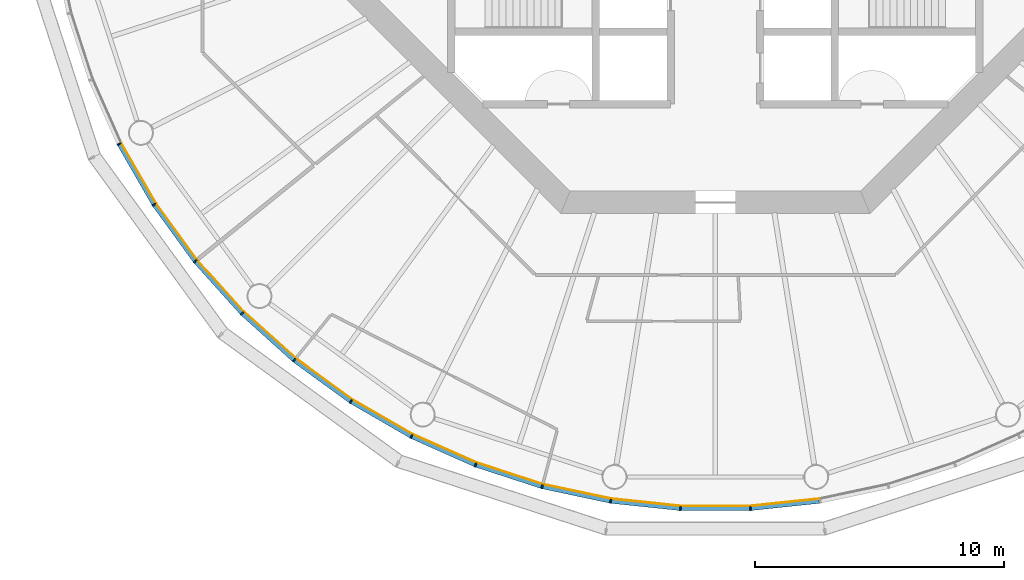
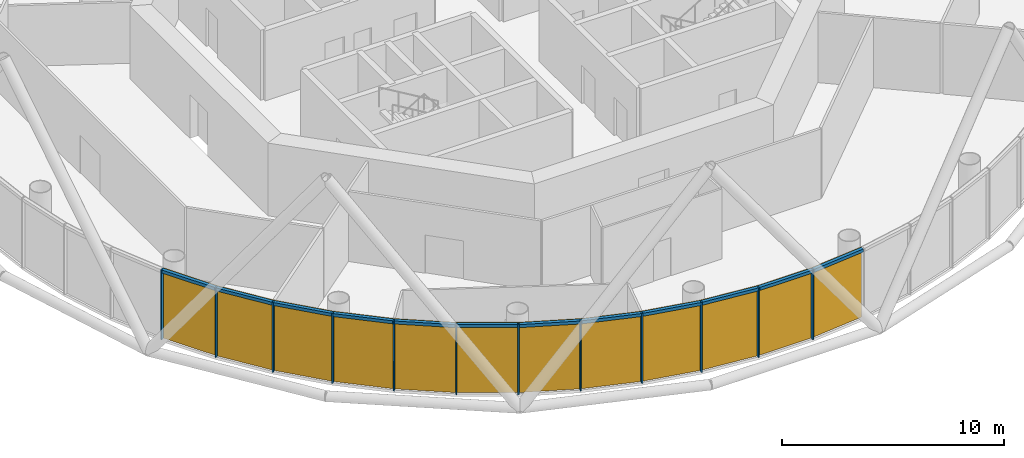
# One storey, part 6 of 12: 24 members, 4 curtain walls.
"""IFC4 building model written with IfcOpenShell, lengths in metres."""

from ifc_helpers import new_model, si_unit, direction, frame, origin, origin_2d, place, context, subcontext, project, spatial, polyline, rectangle, outline, extrude, material, layer, layer_set, material_profile, profile_set, type_object, element, aggregate, save


model = new_model("IFC4")

# Units and contexts
model_context = context("Model", 3, precision=1e-05, world=origin(), true_north=direction((0.0, 1.0)))
body_context = subcontext(model_context, "Body", "Model", "MODEL_VIEW")
ifc_project = project(units=[si_unit("LENGTHUNIT", "METRE"), si_unit("AREAUNIT", "SQUARE_METRE"), si_unit("VOLUMEUNIT", "CUBIC_METRE"), si_unit("PLANEANGLEUNIT", "RADIAN"), si_unit("MASSUNIT", "GRAM", prefix="KILO")], contexts=[model_context])

# Member
ifc_material_1 = material(Name="Anodised aluminium", Category="aluminium")
ifc_material_profile_1 = material_profile(ifc_material_1, rectangle(XDim=0.06005859375, YDim=0.169921875, at=origin_2d()), Name="Mullion 60 x 170 mm anodised aluminium")
ifc_profile_set_1 = profile_set([ifc_material_profile_1], Name="Anodised aluminium")
member_type_1 = type_object("IfcMemberType", Name="Mullion 60 x 170 mm anodised aluminium", PredefinedType="MULLION", material=ifc_profile_set_1)
site_placement = place(None, origin())
building_placement = place(site_placement, origin())
storey_placement = place(building_placement, frame((0.0, 0.0, 238.0)))
member_1_placement = place(storey_placement, frame((66.04541015625, 67.79443359375, 0.0), z_axis=(0.0, 0.0, 1.0), x_axis=(0.45399049974, -0.891006524188, 0.0)))
member_1 = element("IfcMember", 1, at=member_1_placement, type_object=member_type_1, Name="MULLION L54-33", PredefinedType="MULLION", context=body_context, shape_type="SweptSolid", body=[
    extrude(rectangle(XDim=0.06005859375, YDim=0.169921875, at=origin_2d()), origin(), (0.0, 0.0, 1.0), 3.85009765625),
])

member_2_placement = place(storey_placement, frame((67.452392578125, 65.357421875, 0.0), z_axis=(0.0, 0.0, 1.0), x_axis=(0.544639035015, -0.838670567945, 0.0)))
member_2 = element("IfcMember", 2, at=member_2_placement, type_object=member_type_1, Name="MULLION L54-34", PredefinedType="MULLION", context=body_context, shape_type="SweptSolid", body=[
    extrude(rectangle(XDim=0.06005859375, YDim=0.169921875, at=origin_2d()), origin(), (0.0, 0.0, 1.0), 3.85009765625),
])

member_3_placement = place(storey_placement, frame((69.1064453125, 63.080810546875, 0.0), z_axis=(0.0, 0.0, 1.0), x_axis=(0.62932039105, -0.777145961457, 0.0)))
member_3 = element("IfcMember", 3, at=member_3_placement, type_object=member_type_1, Name="MULLION L54-35", PredefinedType="MULLION", context=body_context, shape_type="SweptSolid", body=[
    extrude(rectangle(XDim=0.06005859375, YDim=0.169921875, at=origin_2d()), origin(), (0.0, 0.0, 1.0), 3.85009765625),
])

member_4_placement = place(storey_placement, frame((70.989501953125, 60.989501953125, 0.0), z_axis=(0.0, 0.0, 1.0), x_axis=(0.707106781187, -0.707106781187, 0.0)))
member_4 = element("IfcMember", 4, at=member_4_placement, type_object=member_type_1, Name="MULLION L54-36", PredefinedType="MULLION", context=body_context, shape_type="SweptSolid", body=[
    extrude(rectangle(XDim=0.06005859375, YDim=0.169921875, at=origin_2d()), origin(), (0.0, 0.0, 1.0), 3.85009765625),
])

member_5_placement = place(storey_placement, frame((73.080810546875, 59.1064453125, 0.0), z_axis=(0.0, 0.0, 1.0), x_axis=(0.777145961457, -0.62932039105, 0.0)))
member_5 = element("IfcMember", 5, at=member_5_placement, type_object=member_type_1, Name="MULLION L54-37", PredefinedType="MULLION", context=body_context, shape_type="SweptSolid", body=[
    extrude(rectangle(XDim=0.06005859375, YDim=0.169921875, at=origin_2d()), origin(), (0.0, 0.0, 1.0), 3.85009765625),
])

member_6_placement = place(storey_placement, frame((75.357421875, 57.452392578125, 0.0), z_axis=(0.0, 0.0, 1.0), x_axis=(0.838670567945, -0.544639035015, 0.0)))
member_6 = element("IfcMember", 6, at=member_6_placement, type_object=member_type_1, Name="MULLION L54-38", PredefinedType="MULLION", context=body_context, shape_type="SweptSolid", body=[
    extrude(rectangle(XDim=0.06005859375, YDim=0.169921875, at=origin_2d()), origin(), (0.0, 0.0, 1.0), 3.85009765625),
])

member_7_placement = place(storey_placement, frame((77.79443359375, 56.04541015625, 0.0), z_axis=(0.0, 0.0, 1.0), x_axis=(0.891006524188, -0.45399049974, 0.0)))
member_7 = element("IfcMember", 7, at=member_7_placement, type_object=member_type_1, Name="MULLION L54-39", PredefinedType="MULLION", context=body_context, shape_type="SweptSolid", body=[
    extrude(rectangle(XDim=0.06005859375, YDim=0.169921875, at=origin_2d()), origin(), (0.0, 0.0, 1.0), 3.85009765625),
])

member_8_placement = place(storey_placement, frame((80.365234375, 54.900634765625, 0.0), z_axis=(0.0, 0.0, 1.0), x_axis=(0.933580426497, -0.358367949545, 0.0)))
member_8 = element("IfcMember", 8, at=member_8_placement, type_object=member_type_1, Name="MULLION L54-40", PredefinedType="MULLION", context=body_context, shape_type="SweptSolid", body=[
    extrude(rectangle(XDim=0.06005859375, YDim=0.169921875, at=origin_2d()), origin(), (0.0, 0.0, 1.0), 3.85009765625),
])

member_9_placement = place(storey_placement, frame((83.041748046875, 54.031005859375, 0.0), z_axis=(0.0, 0.0, 1.0), x_axis=(0.965925826289, -0.258819045103, 0.0)))
member_9 = element("IfcMember", 9, at=member_9_placement, type_object=member_type_1, Name="MULLION L54-41", PredefinedType="MULLION", context=body_context, shape_type="SweptSolid", body=[
    extrude(rectangle(XDim=0.06005859375, YDim=0.169921875, at=origin_2d()), origin(), (0.0, 0.0, 1.0), 3.85009765625),
])

member_10_placement = place(storey_placement, frame((85.794189453125, 53.446044921875, 0.0), z_axis=(0.0, 0.0, 1.0), x_axis=(0.987688340595, -0.15643446504, 0.0)))
member_10 = element("IfcMember", 10, at=member_10_placement, type_object=member_type_1, Name="MULLION L54-42", PredefinedType="MULLION", context=body_context, shape_type="SweptSolid", body=[
    extrude(rectangle(XDim=0.06005859375, YDim=0.169921875, at=origin_2d()), origin(), (0.0, 0.0, 1.0), 3.85009765625),
])

member_11_placement = place(storey_placement, frame((88.593017578125, 53.15185546875, 0.0), z_axis=(0.0, 0.0, 1.0), x_axis=(0.998629534755, -0.052335956243, 0.0)))
member_11 = element("IfcMember", 11, at=member_11_placement, type_object=member_type_1, Name="MULLION L54-43", PredefinedType="MULLION", context=body_context, shape_type="SweptSolid", body=[
    extrude(rectangle(XDim=0.06005859375, YDim=0.169921875, at=origin_2d()), origin(), (0.0, 0.0, 1.0), 3.85009765625),
])

member_12_placement = place(storey_placement, frame((91.406982421875, 53.15185546875, 0.0), z_axis=(0.0, 0.0, 1.0), x_axis=(0.998629534755, 0.052335956243, 0.0)))
member_12 = element("IfcMember", 12, at=member_12_placement, type_object=member_type_1, Name="MULLION L54-44", PredefinedType="MULLION", context=body_context, shape_type="SweptSolid", body=[
    extrude(rectangle(XDim=0.06005859375, YDim=0.169921875, at=origin_2d()), origin(), (0.0, 0.0, 1.0), 3.85009765625),
])

ifc_material_2 = material(Name="Anodised aluminium", Category="aluminium")
ifc_material_profile_2 = material_profile(ifc_material_2, rectangle(XDim=0.169921875, YDim=0.1650390625, at=origin_2d()), Name="Transom 165 x 170 mm anodised aluminium")
ifc_profile_set_2 = profile_set([ifc_material_profile_2], Name="Anodised aluminium")
member_type_2 = type_object("IfcMemberType", Name="Transom 165 x 170 mm anodised aluminium", PredefinedType="USERDEFINED", material=ifc_profile_set_2)
member_13_placement = place(storey_placement, frame((66.0625, 67.7646484375, 3.767578125), z_axis=(0.49998419723, -0.866034527326, 0.0), x_axis=(0.866034527326, 0.49998419723, 0.0)))
member_13 = element("IfcMember", 13, at=member_13_placement, type_object=member_type_2, Name="TRANSOM L54-33", ObjectType="TRANSOM", PredefinedType="USERDEFINED", context=body_context, shape_type="SweptSolid", body=[
    extrude(rectangle(XDim=0.169921875, YDim=0.1650390625, at=origin_2d()), origin(), (0.0, 0.0, 1.0), 2.7451171875),
])

member_14_placement = place(storey_placement, frame((67.472412109375, 65.329345703125, 3.767578125), z_axis=(0.587864947412, -0.808959086484, 0.0), x_axis=(0.808959086484, 0.587864947412, 0.0)))
member_14 = element("IfcMember", 14, at=member_14_placement, type_object=member_type_2, Name="TRANSOM L54-34", ObjectType="TRANSOM", PredefinedType="USERDEFINED", context=body_context, shape_type="SweptSolid", body=[
    extrude(rectangle(XDim=0.169921875, YDim=0.1650390625, at=origin_2d()), origin(), (0.0, 0.0, 1.0), 2.7451171875),
])

member_15_placement = place(storey_placement, frame((69.12939453125, 63.054931640625, 3.767578125), z_axis=(0.669141598561, -0.743134927907, 0.0), x_axis=(0.743134927907, 0.669141598561, 0.0)))
member_15 = element("IfcMember", 15, at=member_15_placement, type_object=member_type_2, Name="TRANSOM L54-35", ObjectType="TRANSOM", PredefinedType="USERDEFINED", context=body_context, shape_type="SweptSolid", body=[
    extrude(rectangle(XDim=0.169921875, YDim=0.1650390625, at=origin_2d()), origin(), (0.0, 0.0, 1.0), 2.7451171875),
])

member_16_placement = place(storey_placement, frame((71.014892578125, 60.96630859375, 3.767578125), z_axis=(0.743134927907, -0.669141598561, 0.0), x_axis=(0.669141598561, 0.743134927907, 0.0)))
member_16 = element("IfcMember", 16, at=member_16_placement, type_object=member_type_2, Name="TRANSOM L54-36", ObjectType="TRANSOM", PredefinedType="USERDEFINED", context=body_context, shape_type="SweptSolid", body=[
    extrude(rectangle(XDim=0.169921875, YDim=0.1650390625, at=origin_2d()), origin(), (0.0, 0.0, 1.0), 2.7451171875),
])

member_17_placement = place(storey_placement, frame((73.108642578125, 59.086181640625, 3.767578125), z_axis=(0.808959086484, -0.587864947412, 0.0), x_axis=(0.587864947412, 0.808959086484, 0.0)))
member_17 = element("IfcMember", 17, at=member_17_placement, type_object=member_type_2, Name="TRANSOM L54-37", ObjectType="TRANSOM", PredefinedType="USERDEFINED", context=body_context, shape_type="SweptSolid", body=[
    extrude(rectangle(XDim=0.169921875, YDim=0.1650390625, at=origin_2d()), origin(), (0.0, 0.0, 1.0), 2.7451171875),
])

member_18_placement = place(storey_placement, frame((75.38720703125, 57.43505859375, 3.767578125), z_axis=(0.866034527326, -0.49998419723, 0.0), x_axis=(0.49998419723, 0.866034527326, 0.0)))
member_18 = element("IfcMember", 18, at=member_18_placement, type_object=member_type_2, Name="TRANSOM L54-38", ObjectType="TRANSOM", PredefinedType="USERDEFINED", context=body_context, shape_type="SweptSolid", body=[
    extrude(rectangle(XDim=0.169921875, YDim=0.1650390625, at=origin_2d()), origin(), (0.0, 0.0, 1.0), 2.7451171875),
])

member_19_placement = place(storey_placement, frame((77.825927734375, 56.03125, 3.767578125), z_axis=(0.913525267704, -0.406781987391, 0.0), x_axis=(0.406781987391, 0.913525267704, 0.0)))
member_19 = element("IfcMember", 19, at=member_19_placement, type_object=member_type_2, Name="TRANSOM L54-39", ObjectType="TRANSOM", PredefinedType="USERDEFINED", context=body_context, shape_type="SweptSolid", body=[
    extrude(rectangle(XDim=0.169921875, YDim=0.1650390625, at=origin_2d()), origin(), (0.0, 0.0, 1.0), 2.7451171875),
])

member_20_placement = place(storey_placement, frame((80.39794921875, 54.889892578125, 3.767578125), z_axis=(0.951048445774, -0.309041831781, 0.0), x_axis=(0.309041831781, 0.951048445774, 0.0)))
member_20 = element("IfcMember", 20, at=member_20_placement, type_object=member_type_2, Name="TRANSOM L54-40", ObjectType="TRANSOM", PredefinedType="USERDEFINED", context=body_context, shape_type="SweptSolid", body=[
    extrude(rectangle(XDim=0.169921875, YDim=0.1650390625, at=origin_2d()), origin(), (0.0, 0.0, 1.0), 2.7451171875),
])

member_21_placement = place(storey_placement, frame((83.075439453125, 54.02392578125, 3.767578125), z_axis=(0.97814212115, -0.207937468562, 0.0), x_axis=(0.207937468562, 0.97814212115, 0.0)))
member_21 = element("IfcMember", 21, at=member_21_placement, type_object=member_type_2, Name="TRANSOM L54-41", ObjectType="TRANSOM", PredefinedType="USERDEFINED", context=body_context, shape_type="SweptSolid", body=[
    extrude(rectangle(XDim=0.169921875, YDim=0.1650390625, at=origin_2d()), origin(), (0.0, 0.0, 1.0), 2.7451171875),
])

member_22_placement = place(storey_placement, frame((85.82861328125, 53.4423828125, 3.767578125), z_axis=(0.994515195344, -0.104592190102, 0.0), x_axis=(0.104592190102, 0.994515195344, 0.0)))
member_22 = element("IfcMember", 22, at=member_22_placement, type_object=member_type_2, Name="TRANSOM L54-42", ObjectType="TRANSOM", PredefinedType="USERDEFINED", context=body_context, shape_type="SweptSolid", body=[
    extrude(rectangle(XDim=0.169921875, YDim=0.1650390625, at=origin_2d()), origin(), (0.0, 0.0, 1.0), 2.7451171875),
])

member_23_placement = place(storey_placement, frame((88.62744140625, 53.151611328125, 3.767578125), z_axis=(1.0, 0.0, 0.0), x_axis=(0.0, 1.0, 0.0)))
member_23 = element("IfcMember", 23, at=member_23_placement, type_object=member_type_2, Name="TRANSOM L54-43", ObjectType="TRANSOM", PredefinedType="USERDEFINED", context=body_context, shape_type="SweptSolid", body=[
    extrude(rectangle(XDim=0.169921875, YDim=0.1650390625, at=origin_2d()), origin(), (0.0, 0.0, 1.0), 2.7451171875),
])

member_24_placement = place(storey_placement, frame((91.44140625, 53.1552734375, 3.767578125), z_axis=(0.994515195344, 0.104592190102, 0.0), x_axis=(-0.104592190102, 0.994515195344, 0.0)))
member_24 = element("IfcMember", 24, at=member_24_placement, type_object=member_type_2, Name="TRANSOM L54-44", ObjectType="TRANSOM", PredefinedType="USERDEFINED", context=body_context, shape_type="SweptSolid", body=[
    extrude(rectangle(XDim=0.169921875, YDim=0.1650390625, at=origin_2d()), origin(), (0.0, 0.0, 1.0), 2.7451171875),
])

# Site, building, storey
site = spatial("IfcSite", under=ifc_project, at=site_placement, CompositionType="ELEMENT")
building = spatial("IfcBuilding", under=site, at=building_placement, Name="Entoto Ring Tower", CompositionType="ELEMENT")
storey = spatial("IfcBuildingStorey", under=building, at=storey_placement, Name="L54", CompositionType="ELEMENT", Elevation=238.0)

# Curtain wall
ifc_material_3 = material(Name="Clear low-iron glass", Category="glass")
ifc_layer = layer(ifc_material_3, 0.031982421875)
ifc_layer_set = layer_set([ifc_layer], Name="Clear low-iron glass")
curtain_wall_type = type_object("IfcCurtainWallType", Name="Curtain wall system CW4 glazing 32 mm", PredefinedType="NOTDEFINED", material=ifc_layer_set)
curtain_wall_1_placement = place(storey_placement, origin())
curtain_wall_1 = element("IfcCurtainWall", 25, at=curtain_wall_1_placement, inside=storey, type_object=curtain_wall_type, Name="CW4 L54-12", PredefinedType="NOTDEFINED", context=body_context, shape_type="SweptSolid", body=[
    extrude(outline(polyline([(66.12109375, 67.8330078125), (67.523681640625, 65.403564453125), (69.172607421875, 63.13427734375), (71.049560546875, 61.049560546875), (71.072265625, 61.072265625), (69.197509765625, 63.154296875), (67.550537109375, 65.421142578125), (66.149658203125, 67.84765625), (66.12109375, 67.8330078125)])), origin(), (0.0, 0.0, 1.0), 3.85009765625),
])

aggregate(curtain_wall_1, [member_1, member_2, member_3, member_13, member_14, member_15])

curtain_wall_2_placement = place(storey_placement, origin())
curtain_wall_2 = element("IfcCurtainWall", 26, at=curtain_wall_2_placement, inside=storey, type_object=curtain_wall_type, Name="CW4 L54-13", PredefinedType="NOTDEFINED", context=body_context, shape_type="SweptSolid", body=[
    extrude(outline(polyline([(71.049560546875, 61.049560546875), (73.13427734375, 59.172607421875), (75.403564453125, 57.523681640625), (77.8330078125, 56.12109375), (77.84765625, 56.149658203125), (75.421142578125, 57.550537109375), (73.154296875, 59.197509765625), (71.072265625, 61.072265625), (71.049560546875, 61.049560546875)])), origin(), (0.0, 0.0, 1.0), 3.85009765625),
])

aggregate(curtain_wall_2, [member_4, member_5, member_6, member_16, member_17, member_18])

curtain_wall_3_placement = place(storey_placement, origin())
curtain_wall_3 = element("IfcCurtainWall", 27, at=curtain_wall_3_placement, inside=storey, type_object=curtain_wall_type, Name="CW4 L54-14", PredefinedType="NOTDEFINED", context=body_context, shape_type="SweptSolid", body=[
    extrude(outline(polyline([(77.8330078125, 56.12109375), (80.395751953125, 54.97998046875), (83.063720703125, 54.11328125), (85.8076171875, 53.530029296875), (85.8125, 53.5615234375), (83.072021484375, 54.14404296875), (80.4072265625, 55.010009765625), (77.84765625, 56.149658203125), (77.8330078125, 56.12109375)])), origin(), (0.0, 0.0, 1.0), 3.85009765625),
])

aggregate(curtain_wall_3, [member_7, member_8, member_9, member_19, member_20, member_21])

curtain_wall_4_placement = place(storey_placement, origin())
curtain_wall_4 = element("IfcCurtainWall", 28, at=curtain_wall_4_placement, inside=storey, type_object=curtain_wall_type, Name="CW4 L54-15", PredefinedType="NOTDEFINED", context=body_context, shape_type="SweptSolid", body=[
    extrude(outline(polyline([(85.8076171875, 53.530029296875), (88.597412109375, 53.23681640625), (91.402587890625, 53.23681640625), (94.1923828125, 53.530029296875), (94.1875, 53.5615234375), (91.40087890625, 53.268798828125), (88.59912109375, 53.268798828125), (85.8125, 53.5615234375), (85.8076171875, 53.530029296875)])), origin(), (0.0, 0.0, 1.0), 3.85009765625),
])

aggregate(curtain_wall_4, [member_10, member_11, member_12, member_22, member_23, member_24])

save(model, "model.ifc")
